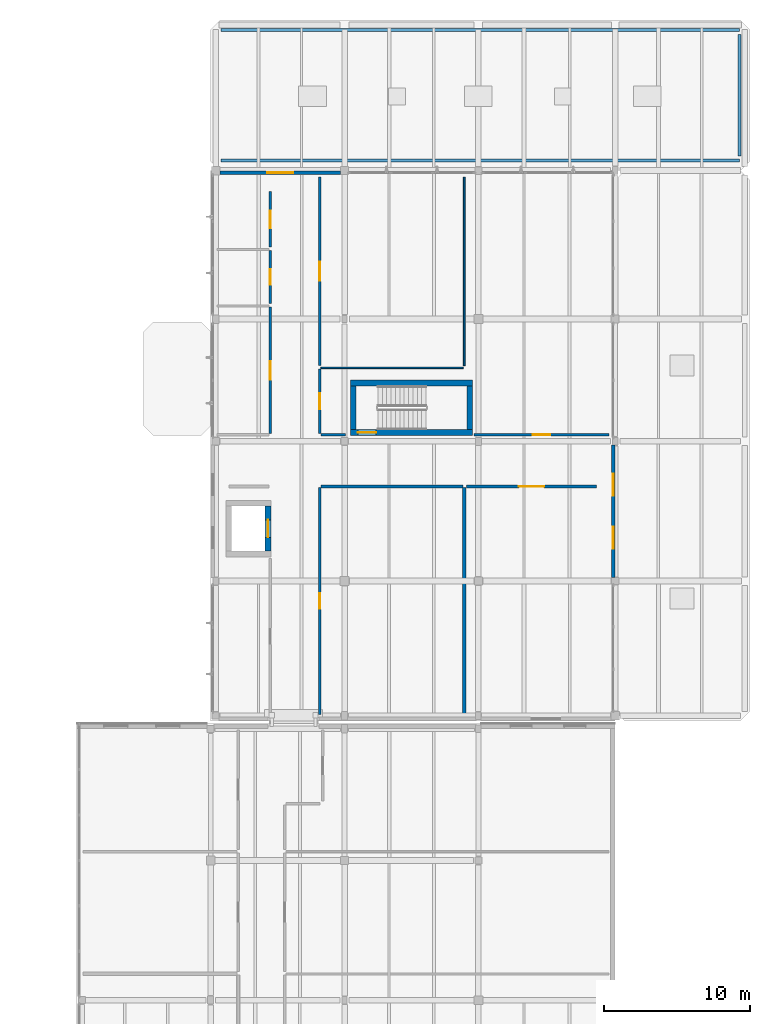
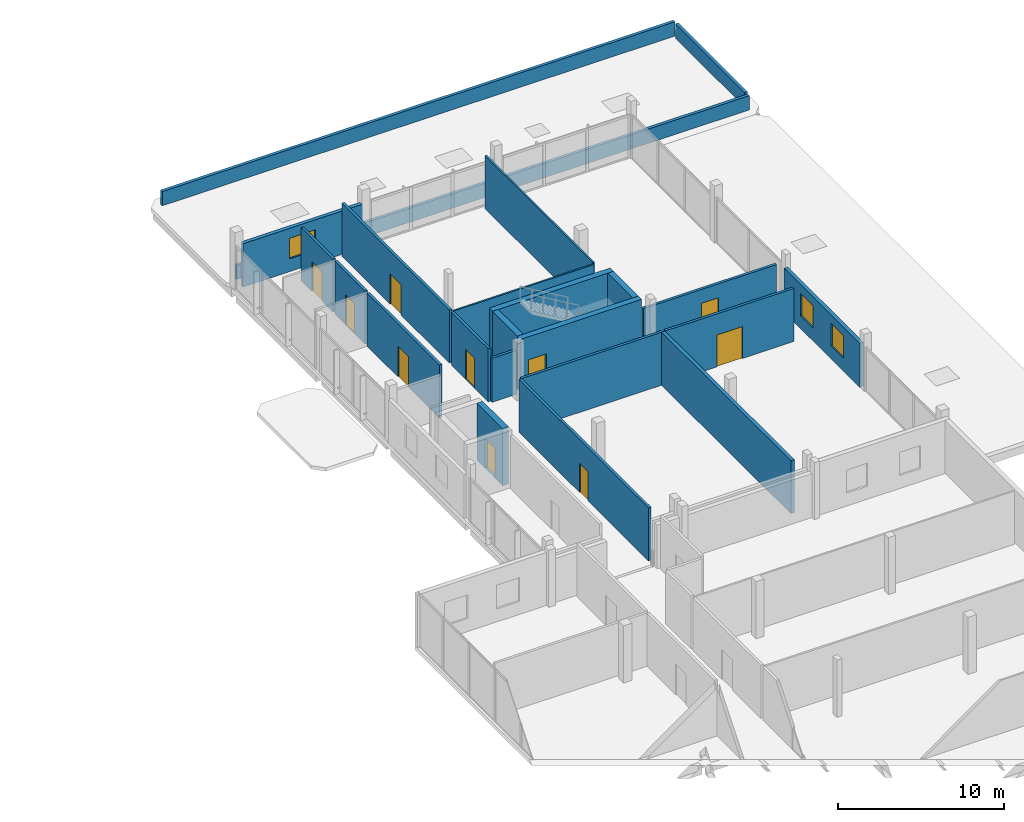
# One storey, part 49 of 66: 23 walls, 10 doors, 3 windows, 13 openings.
"""IFC4 building model written with IfcOpenShell, lengths in metres."""

from ifc_helpers import new_model, si_unit, direction, frame, frame_2d, origin, place, context, subcontext, project, spatial, rectangle, extrude, material, layer, layer_set, type_object, element, fill, save


model = new_model("IFC4")

# Units and contexts
model_context = context("Model", 3, precision=1e-05, world=origin(), true_north=direction((0.0, 1.0)))
body_context = subcontext(model_context, "Body", "Model", "MODEL_VIEW")
ifc_project = project(units=[si_unit("LENGTHUNIT", "METRE"), si_unit("AREAUNIT", "SQUARE_METRE"), si_unit("VOLUMEUNIT", "CUBIC_METRE"), si_unit("PLANEANGLEUNIT", "RADIAN"), si_unit("MASSUNIT", "GRAM", prefix="KILO")], contexts=[model_context])

# Site, building, storey
site_placement = place(None, origin())
site = spatial("IfcSite", under=ifc_project, at=site_placement, CompositionType="ELEMENT")
building_placement = place(site_placement, origin())
building = spatial("IfcBuilding", under=site, at=building_placement, Name="Birchvale Park Specialist Clinic", CompositionType="ELEMENT")
storey_placement = place(building_placement, frame((0.0, 0.0, 5.39990234375)))
storey = spatial("IfcBuildingStorey", under=building, at=storey_placement, Name="L01", CompositionType="ELEMENT", Elevation=5.39990234375)

# Wall, opening, door
ifc_material_1 = material(Name="Concrete C40/50", Category="concrete")
ifc_layer_1 = layer(ifc_material_1, 0.39990234375)
ifc_layer_set_1 = layer_set([ifc_layer_1], Name="Concrete C40/50")
wall_type_1 = type_object("IfcWallType", Name="WL-CW-120", PredefinedType="SHEAR", material=ifc_layer_set_1)
wall_1_placement = place(storey_placement, frame((137.60009765625, 83.39990234375, 0.0), z_axis=(0.0, 0.0, 1.0), x_axis=(1.0, 0.0, 0.0)))
wall_1 = element("IfcWall", 1, at=wall_1_placement, inside=storey, type_object=wall_type_1, Name="L01 stair ST3 EI 120 enclosure wall (south)", PredefinedType="SHEAR", context=body_context, shape_type="SweptSolid", body=[
    extrude(rectangle(XDim=8.39990234375, YDim=0.39990234375, at=frame_2d((4.199951171875, 0.0))), origin(), (0.0, 0.0, 1.0), 3.900146484375),
])
opening_1_placement = place(wall_1_placement, frame((0.52001953125, 0.0, 0.0)))
opening_1 = element("IfcOpeningElement", 2, at=opening_1_placement, cuts=wall_1, Name="Opening ID-FD60", PredefinedType="OPENING", context=body_context, shape_type="SweptSolid", body=[
    extrude(rectangle(XDim=1.25, YDim=2.199951171875, at=frame_2d((0.625, 1.10009765625))), frame((0.0, 0.2099609375, 0.0), z_axis=(0.0, -1.0, 0.0), x_axis=(1.0, 0.0, 0.0)), (0.0, 0.0, 1.0), 0.419921875),
])
ifc_material_2 = material(Name="Solid-core birch veneer and anodised aluminium", Category="aluminium")
door_type_1 = type_object("IfcDoorType", Name="DR-ID-FD60", OperationType="NOTDEFINED", PredefinedType="DOOR", material=ifc_material_2)
door_1_placement = place(opening_1_placement, origin())
door_1 = element("IfcDoor", 3, at=door_1_placement, inside=storey, type_object=door_type_1, Name="L01 stair ST3 fire door", OperationType="SINGLE_SWING_LEFT", OverallHeight=2.199951171875, OverallWidth=1.25, PredefinedType="DOOR", context=body_context, shape_type="SweptSolid", body=[
    extrude(rectangle(XDim=1.25, YDim=2.199951171875, at=frame_2d((0.625, 1.10009765625))), frame((0.0, 0.02490234375, 0.0), z_axis=(0.0, -1.0, 0.0), x_axis=(1.0, 0.0, 0.0)), (0.0, 0.0, 1.0), 0.050048828125),
])
fill(opening_1, door_1)

# Walls
wall_2_placement = place(storey_placement, frame((146.0, 86.800048828125, 0.0), z_axis=(0.0, 0.0, 1.0), x_axis=(-1.0, 0.0, 0.0)))
element("IfcWall", 4, at=wall_2_placement, inside=storey, type_object=wall_type_1, Name="L01 stair ST3 EI 120 enclosure wall (north)", PredefinedType="SHEAR", context=body_context, shape_type="SweptSolid", body=[
    extrude(rectangle(XDim=8.39990234375, YDim=0.39990234375, at=frame_2d((4.199951171875, 0.0))), origin(), (0.0, 0.0, 1.0), 3.900146484375),
])
for number, where, z_axis, x_axis, name in (
    (5, (137.800048828125, 83.60009765625, 0.0), (0.0, 0.0, 1.0), (0.0, 1.0, 0.0), "L01 stair ST3 EI 120 enclosure wall (west)"),
    (6, (145.800048828125, 86.60009765625, 0.0), (0.0, 0.0, 1.0), (0.0, -1.0, 0.0), "L01 stair ST3 EI 120 enclosure wall (east)"),
):
    element("IfcWall", number, at=place(storey_placement, frame(where, z_axis=z_axis, x_axis=x_axis)), inside=storey, type_object=wall_type_1, Name=name, PredefinedType="SHEAR", context=body_context, shape_type="SweptSolid", body=[
        extrude(rectangle(XDim=3.0, YDim=0.39990234375, at=frame_2d((1.5, 0.0))), origin(), (0.0, 0.0, 1.0), 3.900146484375),
    ])

# Wall, opening, door
wall_3_placement = place(storey_placement, frame((131.949951171875, 78.35009765625, 0.0), z_axis=(0.0, 0.0, 1.0), x_axis=(0.0, -1.0, 0.0)))
wall_3 = element("IfcWall", 7, at=wall_3_placement, inside=storey, type_object=wall_type_1, Name="L01 lift LP2 shaft wall (east)", PredefinedType="SHEAR", context=body_context, shape_type="SweptSolid", body=[
    extrude(rectangle(XDim=3.10009765625, YDim=0.39990234375, at=frame_2d((1.550048828125, 0.0))), origin(), (0.0, 0.0, 1.0), 4.2001953125),
])
opening_2_placement = place(wall_3_placement, frame((0.949951171875, 0.0, 0.0)))
opening_2 = element("IfcOpeningElement", 8, at=opening_2_placement, cuts=wall_3, Name="Opening LD-01", PredefinedType="OPENING", context=body_context, shape_type="SweptSolid", body=[
    extrude(rectangle(XDim=1.199951171875, YDim=2.199951171875, at=frame_2d((0.60009765625, 1.10009765625))), frame((0.0, 0.2099609375, 0.0), z_axis=(0.0, -1.0, 0.0), x_axis=(1.0, 0.0, 0.0)), (0.0, 0.0, 1.0), 0.419921875),
])
door_type_2 = type_object("IfcDoorType", Name="DR-LD-01", OperationType="DOUBLE_DOOR_SLIDING", PredefinedType="DOOR", material=ifc_material_2)
door_2_placement = place(opening_2_placement, origin())
door_2 = element("IfcDoor", 9, at=door_2_placement, inside=storey, type_object=door_type_2, Name="L01 lift LP2 sliding landing door", OperationType="DOUBLE_DOOR_SLIDING", OverallHeight=2.199951171875, OverallWidth=1.199951171875, PredefinedType="DOOR", context=body_context, shape_type="SweptSolid", body=[
    extrude(rectangle(XDim=1.199951171875, YDim=2.199951171875, at=frame_2d((0.60009765625, 1.10009765625))), frame((0.0, 0.02490234375, 0.0), z_axis=(0.0, -1.0, 0.0), x_axis=(1.0, 0.0, 0.0)), (0.0, 0.0, 1.0), 0.050048828125),
])
fill(opening_2, door_2)

# Wall, openings, windows
ifc_material_3 = material(Name="Lime-white mineral-rendered insulated masonry", Category="masonry")
ifc_layer_2 = layer(ifc_material_3, 0.25)
ifc_layer_set_2 = layer_set([ifc_layer_2], Name="Lime-white mineral-rendered insulated masonry")
wall_type_2 = type_object("IfcWallType", Name="WL-EW-05", PredefinedType="STANDARD", material=ifc_layer_set_2)
wall_4_placement = place(storey_placement, frame((155.655029296875, 73.445068359375, 0.0), z_axis=(0.0, 0.0, 1.0), x_axis=(0.0, 1.0, 0.0)))
wall_4 = element("IfcWall", 10, at=wall_4_placement, inside=storey, type_object=wall_type_2, Name="V6 L01 exterior facade wall 176", PredefinedType="STANDARD", context=body_context, shape_type="SweptSolid", body=[
    extrude(rectangle(XDim=9.10986328125, YDim=0.25, at=frame_2d((4.554931640625, 0.0))), origin(), (0.0, 0.0, 1.0), 3.2451171875),
])
opening_3_placement = place(wall_4_placement, frame((1.98291015625, 0.0, 0.949951171875)))
opening_3 = element("IfcOpeningElement", 11, at=opening_3_placement, cuts=wall_4, Name="Opening W-CL03", PredefinedType="OPENING", context=body_context, shape_type="SweptSolid", body=[
    extrude(rectangle(XDim=1.5, YDim=1.64990234375, at=frame_2d((0.75, 0.824951171875))), frame((0.0, 0.135009765625, 0.0), z_axis=(0.0, -1.0, 0.0), x_axis=(1.0, 0.0, 0.0)), (0.0, 0.0, 1.0), 0.27001953125),
])
opening_4_placement = place(wall_4_placement, frame((5.626953125, 0.0, 0.949951171875)))
opening_4 = element("IfcOpeningElement", 12, at=opening_4_placement, cuts=wall_4, Name="Opening W-CL03", PredefinedType="OPENING", context=body_context, shape_type="SweptSolid", body=[
    extrude(rectangle(XDim=1.5, YDim=1.64990234375, at=frame_2d((0.75, 0.824951171875))), frame((0.0, 0.135009765625, 0.0), z_axis=(0.0, -1.0, 0.0), x_axis=(1.0, 0.0, 0.0)), (0.0, 0.0, 1.0), 0.27001953125),
])
ifc_material_4 = material(Name="Solar-control low-E double glazing", Category="glass")
window_type_1 = type_object("IfcWindowType", Name="WIN-W-CL03", PartitioningType="SINGLE_PANEL", PredefinedType="WINDOW", material=ifc_material_4)
window_1_placement = place(opening_3_placement, origin())
window_1 = element("IfcWindow", 13, at=window_1_placement, inside=storey, type_object=window_type_1, Name="V6 L01 cased window 52", OverallHeight=1.64990234375, OverallWidth=1.5, PartitioningType="SINGLE_PANEL", PredefinedType="WINDOW", context=body_context, shape_type="SweptSolid", body=[
    extrude(rectangle(XDim=1.5, YDim=1.64990234375, at=frame_2d((0.75, 0.824951171875))), frame((0.0, 0.030029296875, 0.0), z_axis=(0.0, -1.0, 0.0), x_axis=(1.0, 0.0, 0.0)), (0.0, 0.0, 1.0), 0.06005859375),
])
fill(opening_3, window_1)
window_2_placement = place(opening_4_placement, origin())
window_2 = element("IfcWindow", 14, at=window_2_placement, inside=storey, type_object=window_type_1, Name="V6 L01 cased window 53", OverallHeight=1.64990234375, OverallWidth=1.5, PartitioningType="SINGLE_PANEL", PredefinedType="WINDOW", context=body_context, shape_type="SweptSolid", body=[
    extrude(rectangle(XDim=1.5, YDim=1.64990234375, at=frame_2d((0.75, 0.824951171875))), frame((0.0, 0.030029296875, 0.0), z_axis=(0.0, -1.0, 0.0), x_axis=(1.0, 0.0, 0.0)), (0.0, 0.0, 1.0), 0.06005859375),
])
fill(opening_4, window_2)

# Wall, opening, window
wall_5_placement = place(storey_placement, frame((136.929931640625, 101.2548828125, 0.0), z_axis=(0.0, 0.0, 1.0), x_axis=(-1.0, 0.0, 0.0)))
wall_5 = element("IfcWall", 15, at=wall_5_placement, inside=storey, type_object=wall_type_2, Name="V6 L01 exterior facade wall 177", PredefinedType="STANDARD", context=body_context, shape_type="SweptSolid", body=[
    extrude(rectangle(XDim=8.294921875, YDim=0.25, at=frame_2d((4.1474609375, 0.0))), origin(), (0.0, 0.0, 1.0), 3.18505859375),
])
opening_5_placement = place(wall_5_placement, frame((3.24755859375, 0.0, 0.949951171875)))
opening_5 = element("IfcOpeningElement", 16, at=opening_5_placement, cuts=wall_5, Name="Opening W-CL05", PredefinedType="OPENING", context=body_context, shape_type="SweptSolid", body=[
    extrude(rectangle(XDim=1.800048828125, YDim=1.5, at=frame_2d((0.89990234375, 0.75))), frame((0.0, 0.135009765625, 0.0), z_axis=(0.0, -1.0, 0.0), x_axis=(1.0, 0.0, 0.0)), (0.0, 0.0, 1.0), 0.27001953125),
])
window_type_2 = type_object("IfcWindowType", Name="WIN-W-CL05", PartitioningType="SINGLE_PANEL", PredefinedType="WINDOW", material=ifc_material_4)
window_3_placement = place(opening_5_placement, origin())
window_3 = element("IfcWindow", 17, at=window_3_placement, inside=storey, type_object=window_type_2, Name="V6 L01 cased window 54", OverallHeight=1.5, OverallWidth=1.800048828125, PartitioningType="SINGLE_PANEL", PredefinedType="WINDOW", context=body_context, shape_type="SweptSolid", body=[
    extrude(rectangle(XDim=1.800048828125, YDim=1.5, at=frame_2d((0.89990234375, 0.75))), frame((0.0, 0.030029296875, 0.0), z_axis=(0.0, -1.0, 0.0), x_axis=(1.0, 0.0, 0.0)), (0.0, 0.0, 1.0), 0.06005859375),
])
fill(opening_5, window_3)

# Walls
ifc_material_5 = material(Name="Acoustic gypsum board on metal framing")
ifc_layer_3 = layer(ifc_material_5, 0.114990234375)
ifc_layer_set_3 = layer_set([ifc_layer_3], Name="Acoustic gypsum board on metal framing")
wall_type_3 = type_object("IfcWallType", Name="WL-IW-05", PredefinedType="PARTITIONING", material=ifc_layer_set_3)
wall_6_placement = place(storey_placement, frame((135.580078125, 87.85009765625, 0.0), z_axis=(0.0, 0.0, 1.0), x_axis=(1.0, 0.0, 0.0)))
element("IfcWall", 18, at=wall_6_placement, inside=storey, type_object=wall_type_3, Name="V6 L01 clinical partition 400", PredefinedType="PARTITIONING", context=body_context, shape_type="SweptSolid", body=[
    extrude(rectangle(XDim=9.77001953125, YDim=0.114990234375, at=frame_2d((4.885009765625, 0.0))), origin(), (0.0, 0.0, 1.0), 3.900146484375),
])
wall_7_placement = place(storey_placement, frame((145.429931640625, 100.9599609375, 0.0), z_axis=(0.0, 0.0, 1.0), x_axis=(0.0, -1.0, 0.0)))
element("IfcWall", 19, at=wall_7_placement, inside=storey, type_object=wall_type_3, Name="V6 L01 clinical partition 402", PredefinedType="PARTITIONING", context=body_context, shape_type="SweptSolid", body=[
    extrude(rectangle(XDim=12.949951171875, YDim=0.114990234375, at=frame_2d((6.47509765625, 0.0))), origin(), (0.0, 0.0, 1.0), 3.900146484375),
])
ifc_layer_4 = layer(ifc_material_5, 0.239990234375)
ifc_layer_set_4 = layer_set([ifc_layer_4], Name="Acoustic gypsum board on metal framing")
wall_type_4 = type_object("IfcWallType", Name="WL-IW-08", PredefinedType="PARTITIONING", material=ifc_layer_set_4)
wall_8_placement = place(storey_placement, frame((145.429931640625, 79.6201171875, 0.0), z_axis=(0.0, 0.0, 1.0), x_axis=(0.0, -1.0, 0.0)))
element("IfcWall", 20, at=wall_8_placement, inside=storey, type_object=wall_type_4, Name="V6 L01 clinical partition 390", PredefinedType="PARTITIONING", context=body_context, shape_type="SweptSolid", body=[
    extrude(rectangle(XDim=15.580078125, YDim=0.239990234375, at=frame_2d((7.7900390625, 0.0))), origin(), (0.0, 0.0, 1.0), 3.900146484375),
])
ifc_layer_5 = layer(ifc_material_5, 0.179931640625)
ifc_layer_set_5 = layer_set([ifc_layer_5], Name="Acoustic gypsum board on metal framing")
wall_type_5 = type_object("IfcWallType", Name="WL-IW-60", PredefinedType="PARTITIONING", material=ifc_layer_set_5)
wall_9_placement = place(storey_placement, frame((135.580078125, 79.699951171875, 0.0), z_axis=(0.0, 0.0, 1.0), x_axis=(1.0, 0.0, 0.0)))
element("IfcWall", 21, at=wall_9_placement, inside=storey, type_object=wall_type_5, Name="V6 L01 clinical partition 389", PredefinedType="PARTITIONING", context=body_context, shape_type="SweptSolid", body=[
    extrude(rectangle(XDim=9.77001953125, YDim=0.179931640625, at=frame_2d((4.885009765625, 0.0))), origin(), (0.0, 0.0, 1.0), 3.900146484375),
])

# Wall, opening, door
wall_10_placement = place(storey_placement, frame((135.5, 64.0400390625, 0.0), z_axis=(0.0, 0.0, 1.0), x_axis=(0.0, 1.0, 0.0)))
wall_10 = element("IfcWall", 22, at=wall_10_placement, inside=storey, type_object=wall_type_5, Name="V6 L01 clinical partition 391", PredefinedType="PARTITIONING", context=body_context, shape_type="SweptSolid", body=[
    extrude(rectangle(XDim=15.580078125, YDim=0.179931640625, at=frame_2d((7.7900390625, 0.0))), origin(), (0.0, 0.0, 1.0), 3.900146484375),
])
opening_6_placement = place(wall_10_placement, frame((7.27001953125, 0.0, 0.0)))
opening_6 = element("IfcOpeningElement", 23, at=opening_6_placement, cuts=wall_10, Name="Opening ID-02", PredefinedType="OPENING", context=body_context, shape_type="SweptSolid", body=[
    extrude(rectangle(XDim=1.0400390625, YDim=2.14990234375, at=frame_2d((0.52001953125, 1.074951171875))), frame((0.0, 0.10009765625, 0.0), z_axis=(0.0, -1.0, 0.0), x_axis=(1.0, 0.0, 0.0)), (0.0, 0.0, 1.0), 0.199951171875),
])
door_type_3 = type_object("IfcDoorType", Name="DR-ID-02", OperationType="NOTDEFINED", PredefinedType="DOOR", material=ifc_material_2)
door_3_placement = place(opening_6_placement, origin())
door_3 = element("IfcDoor", 24, at=door_3_placement, inside=storey, type_object=door_type_3, Name="L01 Genomics Assay Laboratory door", OperationType="SINGLE_SWING_RIGHT", OverallHeight=2.14990234375, OverallWidth=1.0400390625, PredefinedType="DOOR", context=body_context, shape_type="SweptSolid", body=[
    extrude(rectangle(XDim=1.0400390625, YDim=2.14990234375, at=frame_2d((0.52001953125, 1.074951171875))), frame((0.0, 0.02490234375, 0.0), z_axis=(0.0, -1.0, 0.0), x_axis=(1.0, 0.0, 0.0)), (0.0, 0.0, 1.0), 0.050048828125),
])
fill(opening_6, door_3)

wall_11_placement = place(storey_placement, frame((145.590087890625, 79.699951171875, 0.0), z_axis=(0.0, 0.0, 1.0), x_axis=(1.0, 0.0, 0.0)))
wall_11 = element("IfcWall", 25, at=wall_11_placement, inside=storey, type_object=wall_type_5, Name="V6 L01 clinical partition 392", PredefinedType="PARTITIONING", context=body_context, shape_type="SweptSolid", body=[
    extrude(rectangle(XDim=8.914794921875, YDim=0.179931640625, at=frame_2d((4.45751953125, 0.0))), origin(), (0.0, 0.0, 1.0), 3.900146484375),
])
opening_7_placement = place(wall_11_placement, frame((3.58251953125, 0.0, 0.0)))
opening_7 = element("IfcOpeningElement", 26, at=opening_7_placement, cuts=wall_11, Name="Opening ID-09", PredefinedType="OPENING", context=body_context, shape_type="SweptSolid", body=[
    extrude(rectangle(XDim=1.75, YDim=2.35009765625, at=frame_2d((0.875, 1.175048828125))), frame((0.0, 0.10009765625, 0.0), z_axis=(0.0, -1.0, 0.0), x_axis=(1.0, 0.0, 0.0)), (0.0, 0.0, 1.0), 0.199951171875),
])
door_type_4 = type_object("IfcDoorType", Name="DR-ID-09", OperationType="DOUBLE_DOOR_SINGLE_SWING", PredefinedType="DOOR", material=ifc_material_2)
door_4_placement = place(opening_7_placement, origin())
door_4 = element("IfcDoor", 27, at=door_4_placement, inside=storey, type_object=door_type_4, Name="L01 Clinical Seminar Room door", OperationType="DOUBLE_DOOR_SINGLE_SWING", OverallHeight=2.35009765625, OverallWidth=1.75, PredefinedType="DOOR", context=body_context, shape_type="SweptSolid", body=[
    extrude(rectangle(XDim=1.75, YDim=2.35009765625, at=frame_2d((0.875, 1.175048828125))), frame((0.0, 0.02490234375, 0.0), z_axis=(0.0, -1.0, 0.0), x_axis=(1.0, 0.0, 0.0)), (0.0, 0.0, 1.0), 0.050048828125),
])
fill(opening_7, door_4)

wall_12_placement = place(storey_placement, frame((132.10009765625, 92.02490234375, 0.0), z_axis=(0.0, 0.0, 1.0), x_axis=(0.0, -1.0, 0.0)))
wall_12 = element("IfcWall", 28, at=wall_12_placement, inside=storey, type_object=wall_type_5, Name="V6 L01 clinical partition 394", PredefinedType="PARTITIONING", context=body_context, shape_type="SweptSolid", body=[
    extrude(rectangle(XDim=8.69482421875, YDim=0.179931640625, at=frame_2d((4.347412109375, 0.0))), origin(), (0.0, 0.0, 1.0), 3.900146484375),
])
opening_8_placement = place(wall_12_placement, frame((3.70751953125, 0.0, 0.0)))
opening_8 = element("IfcOpeningElement", 29, at=opening_8_placement, cuts=wall_12, Name="Opening ID-05", PredefinedType="OPENING", context=body_context, shape_type="SweptSolid", body=[
    extrude(rectangle(XDim=1.280029296875, YDim=2.25, at=frame_2d((0.64013671875, 1.125))), frame((0.0, 0.10009765625, 0.0), z_axis=(0.0, -1.0, 0.0), x_axis=(1.0, 0.0, 0.0)), (0.0, 0.0, 1.0), 0.199951171875),
])
door_type_5 = type_object("IfcDoorType", Name="DR-ID-05", OperationType="NOTDEFINED", PredefinedType="DOOR", material=ifc_material_2)
door_5_placement = place(opening_8_placement, origin())
door_5 = element("IfcDoor", 30, at=door_5_placement, inside=storey, type_object=door_type_5, Name="L01 Biostatistics Study Room door", OperationType="SINGLE_SWING_LEFT", OverallHeight=2.25, OverallWidth=1.280029296875, PredefinedType="DOOR", context=body_context, shape_type="SweptSolid", body=[
    extrude(rectangle(XDim=1.280029296875, YDim=2.25, at=frame_2d((0.64013671875, 1.125))), frame((0.0, 0.02490234375, 0.0), z_axis=(0.0, -1.0, 0.0), x_axis=(1.0, 0.0, 0.0)), (0.0, 0.0, 1.0), 0.050048828125),
])
fill(opening_8, door_5)

wall_13_placement = place(storey_placement, frame((132.10009765625, 95.905029296875, 0.0), z_axis=(0.0, 0.0, 1.0), x_axis=(0.0, -1.0, 0.0)))
wall_13 = element("IfcWall", 31, at=wall_13_placement, inside=storey, type_object=wall_type_5, Name="V6 L01 clinical partition 397", PredefinedType="PARTITIONING", context=body_context, shape_type="SweptSolid", body=[
    extrude(rectangle(XDim=3.64013671875, YDim=0.179931640625, at=frame_2d((1.820068359375, 0.0))), origin(), (0.0, 0.0, 1.0), 3.900146484375),
])
opening_9_placement = place(wall_13_placement, frame((1.280029296875, 0.0, 0.0)))
opening_9 = element("IfcOpeningElement", 32, at=opening_9_placement, cuts=wall_13, Name="Opening ID-03", PredefinedType="OPENING", context=body_context, shape_type="SweptSolid", body=[
    extrude(rectangle(XDim=1.080078125, YDim=2.199951171875, at=frame_2d((0.5400390625, 1.10009765625))), frame((0.0, 0.10009765625, 0.0), z_axis=(0.0, -1.0, 0.0), x_axis=(1.0, 0.0, 0.0)), (0.0, 0.0, 1.0), 0.199951171875),
])
door_type_6 = type_object("IfcDoorType", Name="DR-ID-03", OperationType="NOTDEFINED", PredefinedType="DOOR", material=ifc_material_2)
door_6_placement = place(opening_9_placement, origin())
door_6 = element("IfcDoor", 33, at=door_6_placement, inside=storey, type_object=door_type_6, Name="L01 Accessible Patient WC door", OperationType="SINGLE_SWING_RIGHT", OverallHeight=2.199951171875, OverallWidth=1.080078125, PredefinedType="DOOR", context=body_context, shape_type="SweptSolid", body=[
    extrude(rectangle(XDim=1.080078125, YDim=2.199951171875, at=frame_2d((0.5400390625, 1.10009765625))), frame((0.0, 0.02490234375, 0.0), z_axis=(0.0, -1.0, 0.0), x_axis=(1.0, 0.0, 0.0)), (0.0, 0.0, 1.0), 0.050048828125),
])
fill(opening_9, door_6)

wall_14_placement = place(storey_placement, frame((132.10009765625, 99.955078125, 0.0), z_axis=(0.0, 0.0, 1.0), x_axis=(0.0, -1.0, 0.0)))
wall_14 = element("IfcWall", 34, at=wall_14_placement, inside=storey, type_object=wall_type_5, Name="V6 L01 clinical partition 398", PredefinedType="PARTITIONING", context=body_context, shape_type="SweptSolid", body=[
    extrude(rectangle(XDim=3.81005859375, YDim=0.179931640625, at=frame_2d((1.905029296875, 0.0))), origin(), (0.0, 0.0, 1.0), 3.900146484375),
])
opening_10_placement = place(wall_14_placement, frame((1.294921875, 0.0, 0.0)))
opening_10 = element("IfcOpeningElement", 35, at=opening_10_placement, cuts=wall_14, Name="Opening ID-10", PredefinedType="OPENING", context=body_context, shape_type="SweptSolid", body=[
    extrude(rectangle(XDim=1.219970703125, YDim=2.179931640625, at=frame_2d((0.60986328125, 1.08984375))), frame((0.0, 0.10009765625, 0.0), z_axis=(0.0, -1.0, 0.0), x_axis=(1.0, 0.0, 0.0)), (0.0, 0.0, 1.0), 0.199951171875),
])
door_type_7 = type_object("IfcDoorType", Name="DR-ID-10", OperationType="NOTDEFINED", PredefinedType="DOOR", material=ifc_material_2)
door_7_placement = place(opening_10_placement, origin())
door_7 = element("IfcDoor", 36, at=door_7_placement, inside=storey, type_object=door_type_7, Name="L01 Translational Research Laboratory door", OperationType="SINGLE_SWING_LEFT", OverallHeight=2.179931640625, OverallWidth=1.219970703125, PredefinedType="DOOR", context=body_context, shape_type="SweptSolid", body=[
    extrude(rectangle(XDim=1.219970703125, YDim=2.179931640625, at=frame_2d((0.60986328125, 1.08984375))), frame((0.0, 0.02490234375, 0.0), z_axis=(0.0, -1.0, 0.0), x_axis=(1.0, 0.0, 0.0)), (0.0, 0.0, 1.0), 0.050048828125),
])
fill(opening_10, door_7)

wall_15_placement = place(storey_placement, frame((135.5, 83.330078125, 0.0), z_axis=(0.0, 0.0, 1.0), x_axis=(0.0, 1.0, 0.0)))
wall_15 = element("IfcWall", 37, at=wall_15_placement, inside=storey, type_object=wall_type_5, Name="V6 L01 clinical partition 399", PredefinedType="PARTITIONING", context=body_context, shape_type="SweptSolid", body=[
    extrude(rectangle(XDim=4.43994140625, YDim=0.179931640625, at=frame_2d((2.219970703125, 0.0))), origin(), (0.0, 0.0, 1.0), 3.900146484375),
])
opening_11_placement = place(wall_15_placement, frame((1.679931640625, 0.0, 0.0)))
opening_11 = element("IfcOpeningElement", 38, at=opening_11_placement, cuts=wall_15, Name="Opening ID-03", PredefinedType="OPENING", context=body_context, shape_type="SweptSolid", body=[
    extrude(rectangle(XDim=1.080078125, YDim=2.199951171875, at=frame_2d((0.5400390625, 1.10009765625))), frame((0.0, 0.10009765625, 0.0), z_axis=(0.0, -1.0, 0.0), x_axis=(1.0, 0.0, 0.0)), (0.0, 0.0, 1.0), 0.199951171875),
])
door_8_placement = place(opening_11_placement, origin())
door_8 = element("IfcDoor", 39, at=door_8_placement, inside=storey, type_object=door_type_6, Name="L01 Accessible Staff WC door", OperationType="SINGLE_SWING_RIGHT", OverallHeight=2.199951171875, OverallWidth=1.080078125, PredefinedType="DOOR", context=body_context, shape_type="SweptSolid", body=[
    extrude(rectangle(XDim=1.080078125, YDim=2.199951171875, at=frame_2d((0.5400390625, 1.10009765625))), frame((0.0, 0.02490234375, 0.0), z_axis=(0.0, -1.0, 0.0), x_axis=(1.0, 0.0, 0.0)), (0.0, 0.0, 1.0), 0.050048828125),
])
fill(opening_11, door_8)

# Wall
wall_16_placement = place(storey_placement, frame((137.264892578125, 83.25, 0.0), z_axis=(0.0, 0.0, 1.0), x_axis=(-1.0, 0.0, 0.0)))
element("IfcWall", 40, at=wall_16_placement, inside=storey, type_object=wall_type_5, Name="V6 L01 clinical partition 401", PredefinedType="PARTITIONING", context=body_context, shape_type="SweptSolid", body=[
    extrude(rectangle(XDim=1.684814453125, YDim=0.179931640625, at=frame_2d((0.84228515625, 0.0))), origin(), (0.0, 0.0, 1.0), 3.235107421875),
])

# Wall, opening, door
wall_17_placement = place(storey_placement, frame((135.5, 88.010009765625, 0.0), z_axis=(0.0, 0.0, 1.0), x_axis=(0.0, 1.0, 0.0)))
wall_17 = element("IfcWall", 41, at=wall_17_placement, inside=storey, type_object=wall_type_5, Name="V6 L01 clinical partition 403", PredefinedType="PARTITIONING", context=body_context, shape_type="SweptSolid", body=[
    extrude(rectangle(XDim=12.949951171875, YDim=0.179931640625, at=frame_2d((6.47509765625, 0.0))), origin(), (0.0, 0.0, 1.0), 3.900146484375),
])
opening_12_placement = place(wall_17_placement, frame((5.81494140625, 0.0, 0.0)))
opening_12 = element("IfcOpeningElement", 42, at=opening_12_placement, cuts=wall_17, Name="Opening ID-12", PredefinedType="OPENING", context=body_context, shape_type="SweptSolid", body=[
    extrude(rectangle(XDim=1.320068359375, YDim=2.219970703125, at=frame_2d((0.66015625, 1.10986328125))), frame((0.0, 0.10009765625, 0.0), z_axis=(0.0, -1.0, 0.0), x_axis=(1.0, 0.0, 0.0)), (0.0, 0.0, 1.0), 0.199951171875),
])
door_type_8 = type_object("IfcDoorType", Name="DR-ID-12", OperationType="NOTDEFINED", PredefinedType="DOOR", material=ifc_material_2)
door_9_placement = place(opening_12_placement, origin())
door_9 = element("IfcDoor", 43, at=door_9_placement, inside=storey, type_object=door_type_8, Name="L01 Translational Research Laboratory door", OperationType="SINGLE_SWING_LEFT", OverallHeight=2.219970703125, OverallWidth=1.320068359375, PredefinedType="DOOR", context=body_context, shape_type="SweptSolid", body=[
    extrude(rectangle(XDim=1.320068359375, YDim=2.219970703125, at=frame_2d((0.66015625, 1.10986328125))), frame((0.0, 0.02490234375, 0.0), z_axis=(0.0, -1.0, 0.0), x_axis=(1.0, 0.0, 0.0)), (0.0, 0.0, 1.0), 0.050048828125),
])
fill(opening_12, door_9)

wall_18_placement = place(storey_placement, frame((155.360107421875, 83.25, 0.0), z_axis=(0.0, 0.0, 1.0), x_axis=(-1.0, 0.0, 0.0)))
wall_18 = element("IfcWall", 44, at=wall_18_placement, inside=storey, type_object=wall_type_5, Name="V6 L01 clinical partition 404", PredefinedType="PARTITIONING", context=body_context, shape_type="SweptSolid", body=[
    extrude(rectangle(XDim=9.260009765625, YDim=0.179931640625, at=frame_2d((4.6298828125, 0.0))), origin(), (0.0, 0.0, 1.0), 3.205078125),
])
opening_13_placement = place(wall_18_placement, frame((4.0400390625, 0.0, 0.0)))
opening_13 = element("IfcOpeningElement", 45, at=opening_13_placement, cuts=wall_18, Name="Opening ID-ST60", PredefinedType="OPENING", context=body_context, shape_type="SweptSolid", body=[
    extrude(rectangle(XDim=1.179931640625, YDim=2.179931640625, at=frame_2d((0.58984375, 1.08984375))), frame((0.0, 0.10009765625, 0.0), z_axis=(0.0, -1.0, 0.0), x_axis=(1.0, 0.0, 0.0)), (0.0, 0.0, 1.0), 0.199951171875),
])
door_type_9 = type_object("IfcDoorType", Name="DR-ID-ST60", OperationType="NOTDEFINED", PredefinedType="DOOR", material=ifc_material_2)
door_10_placement = place(opening_13_placement, origin())
door_10 = element("IfcDoor", 46, at=door_10_placement, inside=storey, type_object=door_type_9, Name="L01 Clinical Trials Consultation Suite door", OperationType="SINGLE_SWING_RIGHT", OverallHeight=2.179931640625, OverallWidth=1.179931640625, PredefinedType="DOOR", context=body_context, shape_type="SweptSolid", body=[
    extrude(rectangle(XDim=1.179931640625, YDim=2.179931640625, at=frame_2d((0.58984375, 1.08984375))), frame((0.0, 0.02490234375, 0.0), z_axis=(0.0, -1.0, 0.0), x_axis=(1.0, 0.0, 0.0)), (0.0, 0.0, 1.0), 0.050048828125),
])
fill(opening_13, door_10)

# Walls
ifc_layer_6 = layer(ifc_material_3, 0.2099609375)
ifc_layer_set_6 = layer_set([ifc_layer_6], Name="Lime-white mineral-rendered insulated masonry")
wall_type_6 = type_object("IfcWallType", Name="WL-PW-02", PredefinedType="PARAPET", material=ifc_layer_set_6)
wall_19_placement = place(storey_placement, frame((128.699951171875, 102.10009765625, 0.0), z_axis=(0.0, 0.0, 1.0), x_axis=(1.0, 0.0, 0.0)))
element("IfcWall", 47, at=wall_19_placement, inside=storey, type_object=wall_type_6, Name="L01 roof edge parapet 10", PredefinedType="PARAPET", context=body_context, shape_type="SweptSolid", body=[
    extrude(rectangle(XDim=35.650146484375, YDim=0.2099609375, at=frame_2d((17.8251953125, 0.0))), origin(), (0.0, 0.0, 1.0), 1.050048828125),
])
wall_20_placement = place(storey_placement, frame((164.35009765625, 102.39990234375, 0.0), z_axis=(0.0, 0.0, 1.0), x_axis=(0.0, 1.0, 0.0)))
element("IfcWall", 48, at=wall_20_placement, inside=storey, type_object=wall_type_6, Name="L01 roof edge parapet 11", PredefinedType="PARAPET", context=body_context, shape_type="SweptSolid", body=[
    extrude(rectangle(XDim=8.35009765625, YDim=0.2099609375, at=frame_2d((4.175048828125, 0.0))), origin(), (0.0, 0.0, 1.0), 1.050048828125),
])
wall_21_placement = place(storey_placement, frame((164.35009765625, 111.050048828125, 0.0), z_axis=(0.0, 0.0, 1.0), x_axis=(-1.0, 0.0, 0.0)))
element("IfcWall", 49, at=wall_21_placement, inside=storey, type_object=wall_type_6, Name="L01 roof edge parapet 12", PredefinedType="PARAPET", context=body_context, shape_type="SweptSolid", body=[
    extrude(rectangle(XDim=35.650146484375, YDim=0.2099609375, at=frame_2d((17.8251953125, 0.0))), origin(), (0.0, 0.0, 1.0), 1.050048828125),
])

save(model, "model.ifc")
